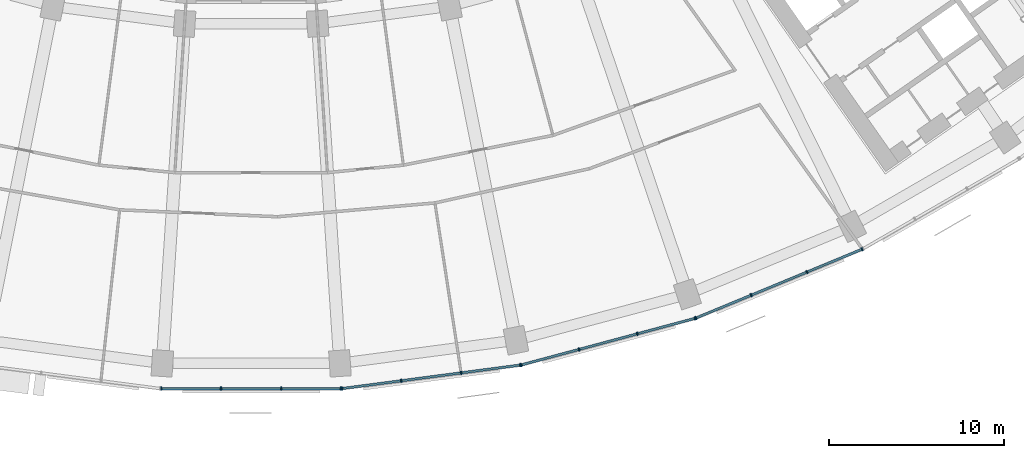
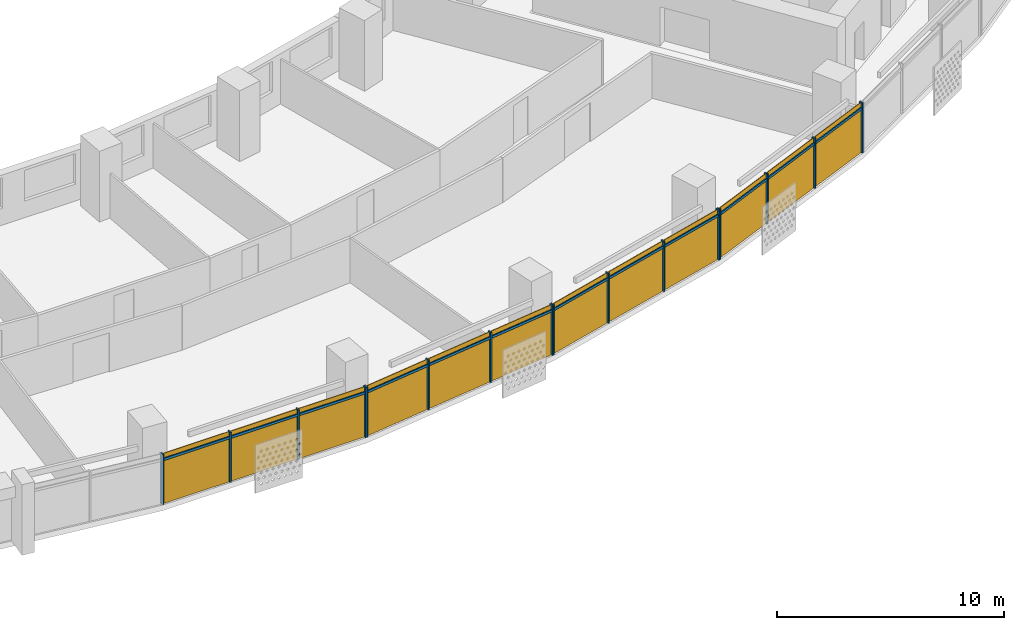
# One storey, part 21 of 29: 28 members, 4 curtain walls.
"""IFC4 building model written with IfcOpenShell, lengths in metres."""

from ifc_helpers import new_model, si_unit, direction, frame, origin, origin_2d, place, context, subcontext, project, spatial, rectangle, extrude, material, material_profile, profile_set, type_object, element, aggregate, save


model = new_model("IFC4")

# Units and contexts
model_context = context("Model", 3, precision=1e-05, world=origin(), true_north=direction((0.0, 1.0)))
body_context = subcontext(model_context, "Body", "Model", "MODEL_VIEW")
ifc_project = project(units=[si_unit("LENGTHUNIT", "METRE"), si_unit("AREAUNIT", "SQUARE_METRE"), si_unit("VOLUMEUNIT", "CUBIC_METRE"), si_unit("PLANEANGLEUNIT", "RADIAN"), si_unit("MASSUNIT", "GRAM", prefix="KILO")], contexts=[model_context])

# Member
ifc_material = material(Name="Aluminium 6063-T6 anodised", Category="aluminium")
ifc_material_profile_1 = material_profile(ifc_material, rectangle(XDim=0.199951171875, YDim=0.070068359375, at=origin_2d()))
ifc_profile_set_1 = profile_set([ifc_material_profile_1], Name="Aluminium 6063-T6 anodised")
member_type_1 = type_object("IfcMemberType", Name="Mullion 70 x 200 aluminium", PredefinedType="MULLION", material=ifc_profile_set_1)
site_placement = place(None, origin())
building_placement = place(site_placement, origin())
storey_placement = place(building_placement, frame((0.0, 0.0, 106.300048828125)))
member_1_placement = place(storey_placement, frame((-5.1513671875, -79.0302734375, 0.0), z_axis=(0.0, 0.0, 1.0), x_axis=(0.0, 1.0, 0.0)))
member_1 = element("IfcMember", 1, at=member_1_placement, type_object=member_type_1, Name="e-cw1-L23-out09/M00", PredefinedType="MULLION", context=body_context, shape_type="SweptSolid", body=[
    extrude(rectangle(XDim=0.199951171875, YDim=0.070068359375, at=origin_2d()), origin(), (0.0, 0.0, 1.0), 2.699951171875),
])

member_2_placement = place(storey_placement, frame((-1.728759765625, -79.0302734375, 0.0), z_axis=(0.0, 0.0, 1.0), x_axis=(0.0, 1.0, 0.0)))
member_2 = element("IfcMember", 2, at=member_2_placement, type_object=member_type_1, Name="e-cw1-L23-out09/M01", PredefinedType="MULLION", context=body_context, shape_type="SweptSolid", body=[
    extrude(rectangle(XDim=0.199951171875, YDim=0.070068359375, at=origin_2d()), origin(), (0.0, 0.0, 1.0), 2.699951171875),
])

member_3_placement = place(storey_placement, frame((1.728759765625, -79.0302734375, 0.0), z_axis=(0.0, 0.0, 1.0), x_axis=(0.0, 1.0, 0.0)))
member_3 = element("IfcMember", 3, at=member_3_placement, type_object=member_type_1, Name="e-cw1-L23-out09/M02", PredefinedType="MULLION", context=body_context, shape_type="SweptSolid", body=[
    extrude(rectangle(XDim=0.199951171875, YDim=0.070068359375, at=origin_2d()), origin(), (0.0, 0.0, 1.0), 2.699951171875),
])

member_4_placement = place(storey_placement, frame((5.1513671875, -79.0302734375, 0.0), z_axis=(0.0, 0.0, 1.0), x_axis=(0.0, 1.0, 0.0)))
member_4 = element("IfcMember", 4, at=member_4_placement, type_object=member_type_1, Name="e-cw1-L23-out09/M03", PredefinedType="MULLION", context=body_context, shape_type="SweptSolid", body=[
    extrude(rectangle(XDim=0.199951171875, YDim=0.070068359375, at=origin_2d()), origin(), (0.0, 0.0, 1.0), 2.699951171875),
])

member_5_placement = place(storey_placement, frame((5.2080078125, -79.026611328125, 0.0), z_axis=(0.0, 0.0, 1.0), x_axis=(-0.13052619222, 0.991444861374, 0.0)))
member_5 = element("IfcMember", 5, at=member_5_placement, type_object=member_type_1, Name="e-cw1-L23-out10/M00", PredefinedType="MULLION", context=body_context, shape_type="SweptSolid", body=[
    extrude(rectangle(XDim=0.199951171875, YDim=0.070068359375, at=origin_2d()), origin(), (0.0, 0.0, 1.0), 2.699951171875),
])

member_6_placement = place(storey_placement, frame((8.6015625, -78.579833984375, 0.0), z_axis=(0.0, 0.0, 1.0), x_axis=(-0.13052619222, 0.991444861374, 0.0)))
member_6 = element("IfcMember", 6, at=member_6_placement, type_object=member_type_1, Name="e-cw1-L23-out10/M01", PredefinedType="MULLION", context=body_context, shape_type="SweptSolid", body=[
    extrude(rectangle(XDim=0.199951171875, YDim=0.070068359375, at=origin_2d()), origin(), (0.0, 0.0, 1.0), 2.699951171875),
])

member_7_placement = place(storey_placement, frame((12.029541015625, -78.12841796875, 0.0), z_axis=(0.0, 0.0, 1.0), x_axis=(-0.13052619222, 0.991444861374, 0.0)))
member_7 = element("IfcMember", 7, at=member_7_placement, type_object=member_type_1, Name="e-cw1-L23-out10/M02", PredefinedType="MULLION", context=body_context, shape_type="SweptSolid", body=[
    extrude(rectangle(XDim=0.199951171875, YDim=0.070068359375, at=origin_2d()), origin(), (0.0, 0.0, 1.0), 2.699951171875),
])

member_8_placement = place(storey_placement, frame((15.4228515625, -77.681640625, 0.0), z_axis=(0.0, 0.0, 1.0), x_axis=(-0.13052619222, 0.991444861374, 0.0)))
member_8 = element("IfcMember", 8, at=member_8_placement, type_object=member_type_1, Name="e-cw1-L23-out10/M03", PredefinedType="MULLION", context=body_context, shape_type="SweptSolid", body=[
    extrude(rectangle(XDim=0.199951171875, YDim=0.070068359375, at=origin_2d()), origin(), (0.0, 0.0, 1.0), 2.699951171875),
])

member_9_placement = place(storey_placement, frame((15.478515625, -77.670654296875, 0.0), z_axis=(0.0, 0.0, 1.0), x_axis=(-0.258819045103, 0.965925826289, 0.0)))
member_9 = element("IfcMember", 9, at=member_9_placement, type_object=member_type_1, Name="e-cw1-L23-out11/M00", PredefinedType="MULLION", context=body_context, shape_type="SweptSolid", body=[
    extrude(rectangle(XDim=0.199951171875, YDim=0.070068359375, at=origin_2d()), origin(), (0.0, 0.0, 1.0), 2.699951171875),
])

member_10_placement = place(storey_placement, frame((18.78466796875, -76.78466796875, 0.0), z_axis=(0.0, 0.0, 1.0), x_axis=(-0.258819045103, 0.965925826289, 0.0)))
member_10 = element("IfcMember", 10, at=member_10_placement, type_object=member_type_1, Name="e-cw1-L23-out11/M01", PredefinedType="MULLION", context=body_context, shape_type="SweptSolid", body=[
    extrude(rectangle(XDim=0.199951171875, YDim=0.070068359375, at=origin_2d()), origin(), (0.0, 0.0, 1.0), 2.699951171875),
])

member_11_placement = place(storey_placement, frame((22.12451171875, -75.889892578125, 0.0), z_axis=(0.0, 0.0, 1.0), x_axis=(-0.258819045103, 0.965925826289, 0.0)))
member_11 = element("IfcMember", 11, at=member_11_placement, type_object=member_type_1, Name="e-cw1-L23-out11/M02", PredefinedType="MULLION", context=body_context, shape_type="SweptSolid", body=[
    extrude(rectangle(XDim=0.199951171875, YDim=0.070068359375, at=origin_2d()), origin(), (0.0, 0.0, 1.0), 2.699951171875),
])

member_12_placement = place(storey_placement, frame((25.430419921875, -75.00390625, 0.0), z_axis=(0.0, 0.0, 1.0), x_axis=(-0.258819045103, 0.965925826289, 0.0)))
member_12 = element("IfcMember", 12, at=member_12_placement, type_object=member_type_1, Name="e-cw1-L23-out11/M03", PredefinedType="MULLION", context=body_context, shape_type="SweptSolid", body=[
    extrude(rectangle(XDim=0.199951171875, YDim=0.070068359375, at=origin_2d()), origin(), (0.0, 0.0, 1.0), 2.699951171875),
])

member_13_placement = place(storey_placement, frame((25.484130859375, -74.98583984375, 0.0), z_axis=(0.0, 0.0, 1.0), x_axis=(-0.382683432365, 0.923879532511, 0.0)))
member_13 = element("IfcMember", 13, at=member_13_placement, type_object=member_type_1, Name="e-cw1-L23-out12/M00", PredefinedType="MULLION", context=body_context, shape_type="SweptSolid", body=[
    extrude(rectangle(XDim=0.199951171875, YDim=0.070068359375, at=origin_2d()), origin(), (0.0, 0.0, 1.0), 2.699951171875),
])

member_14_placement = place(storey_placement, frame((28.646240234375, -73.676025390625, 0.0), z_axis=(0.0, 0.0, 1.0), x_axis=(-0.382683432365, 0.923879532511, 0.0)))
member_14 = element("IfcMember", 14, at=member_14_placement, type_object=member_type_1, Name="e-cw1-L23-out12/M01", PredefinedType="MULLION", context=body_context, shape_type="SweptSolid", body=[
    extrude(rectangle(XDim=0.199951171875, YDim=0.070068359375, at=origin_2d()), origin(), (0.0, 0.0, 1.0), 2.699951171875),
])

member_15_placement = place(storey_placement, frame((31.8408203125, -72.352783203125, 0.0), z_axis=(0.0, 0.0, 1.0), x_axis=(-0.382683432365, 0.923879532511, 0.0)))
member_15 = element("IfcMember", 15, at=member_15_placement, type_object=member_type_1, Name="e-cw1-L23-out12/M02", PredefinedType="MULLION", context=body_context, shape_type="SweptSolid", body=[
    extrude(rectangle(XDim=0.199951171875, YDim=0.070068359375, at=origin_2d()), origin(), (0.0, 0.0, 1.0), 2.699951171875),
])

member_16_placement = place(storey_placement, frame((35.0029296875, -71.04296875, 0.0), z_axis=(0.0, 0.0, 1.0), x_axis=(-0.382683432365, 0.923879532511, 0.0)))
member_16 = element("IfcMember", 16, at=member_16_placement, type_object=member_type_1, Name="e-cw1-L23-out12/M03", PredefinedType="MULLION", context=body_context, shape_type="SweptSolid", body=[
    extrude(rectangle(XDim=0.199951171875, YDim=0.070068359375, at=origin_2d()), origin(), (0.0, 0.0, 1.0), 2.699951171875),
])

ifc_material_profile_2 = material_profile(ifc_material, rectangle(XDim=0.139892578125, YDim=0.1201171875, at=origin_2d()))
ifc_profile_set_2 = profile_set([ifc_material_profile_2], Name="Aluminium 6063-T6 anodised")
member_type_2 = type_object("IfcMemberType", Name="Transom 120 x 140 aluminium", PredefinedType="USERDEFINED", material=ifc_profile_set_2)
member_17_placement = place(storey_placement, frame((-5.116455078125, -79.0302734375, 2.39990234375), z_axis=(1.0, 0.0, 0.0), x_axis=(0.0, 1.0, 0.0)))
member_17 = element("IfcMember", 17, at=member_17_placement, type_object=member_type_2, Name="e-cw1-L23-out09/T00", ObjectType="TRANSOM", PredefinedType="USERDEFINED", context=body_context, shape_type="SweptSolid", body=[
    extrude(rectangle(XDim=0.139892578125, YDim=0.1201171875, at=origin_2d()), origin(), (0.0, 0.0, 1.0), 3.3525390625),
])

member_18_placement = place(storey_placement, frame((-1.69384765625, -79.0302734375, 2.39990234375), z_axis=(1.0, 0.0, 0.0), x_axis=(0.0, 1.0, 0.0)))
member_18 = element("IfcMember", 18, at=member_18_placement, type_object=member_type_2, Name="e-cw1-L23-out09/T01", ObjectType="TRANSOM", PredefinedType="USERDEFINED", context=body_context, shape_type="SweptSolid", body=[
    extrude(rectangle(XDim=0.139892578125, YDim=0.1201171875, at=origin_2d()), origin(), (0.0, 0.0, 1.0), 3.3876953125),
])

member_19_placement = place(storey_placement, frame((1.763916015625, -79.0302734375, 2.39990234375), z_axis=(1.0, 0.0, 0.0), x_axis=(0.0, 1.0, 0.0)))
member_19 = element("IfcMember", 19, at=member_19_placement, type_object=member_type_2, Name="e-cw1-L23-out09/T02", ObjectType="TRANSOM", PredefinedType="USERDEFINED", context=body_context, shape_type="SweptSolid", body=[
    extrude(rectangle(XDim=0.139892578125, YDim=0.1201171875, at=origin_2d()), origin(), (0.0, 0.0, 1.0), 3.3525390625),
])

member_20_placement = place(storey_placement, frame((5.242919921875, -79.02197265625, 2.39990234375), z_axis=(0.991439665896, 0.130565649721, 0.0), x_axis=(-0.130565649721, 0.991439665896, 0.0)))
member_20 = element("IfcMember", 20, at=member_20_placement, type_object=member_type_2, Name="e-cw1-L23-out10/T00", ObjectType="TRANSOM", PredefinedType="USERDEFINED", context=body_context, shape_type="SweptSolid", body=[
    extrude(rectangle(XDim=0.139892578125, YDim=0.1201171875, at=origin_2d()), origin(), (0.0, 0.0, 1.0), 3.352783203125),
])

member_21_placement = place(storey_placement, frame((8.63623046875, -78.5751953125, 2.39990234375), z_axis=(0.991446198807, 0.130516033004, 0.0), x_axis=(-0.130516033004, 0.991446198807, 0.0)))
member_21 = element("IfcMember", 21, at=member_21_placement, type_object=member_type_2, Name="e-cw1-L23-out10/T01", ObjectType="TRANSOM", PredefinedType="USERDEFINED", context=body_context, shape_type="SweptSolid", body=[
    extrude(rectangle(XDim=0.139892578125, YDim=0.1201171875, at=origin_2d()), origin(), (0.0, 0.0, 1.0), 3.3876953125),
])

member_22_placement = place(storey_placement, frame((12.064208984375, -78.123779296875, 2.39990234375), z_axis=(0.991449089759, 0.130494070426, 0.0), x_axis=(-0.130494070426, 0.991449089759, 0.0)))
member_22 = element("IfcMember", 22, at=member_22_placement, type_object=member_type_2, Name="e-cw1-L23-out10/T02", ObjectType="TRANSOM", PredefinedType="USERDEFINED", context=body_context, shape_type="SweptSolid", body=[
    extrude(rectangle(XDim=0.139892578125, YDim=0.1201171875, at=origin_2d()), origin(), (0.0, 0.0, 1.0), 3.3525390625),
])

member_23_placement = place(storey_placement, frame((15.512451171875, -77.66162109375, 2.39990234375), z_axis=(0.965927247937, 0.258813739382, 0.0), x_axis=(-0.258813739382, 0.965927247937, 0.0)))
member_23 = element("IfcMember", 23, at=member_23_placement, type_object=member_type_2, Name="e-cw1-L23-out11/T00", ObjectType="TRANSOM", PredefinedType="USERDEFINED", context=body_context, shape_type="SweptSolid", body=[
    extrude(rectangle(XDim=0.139892578125, YDim=0.1201171875, at=origin_2d()), origin(), (0.0, 0.0, 1.0), 3.3525390625),
])

member_24_placement = place(storey_placement, frame((18.818359375, -76.775634765625, 2.39990234375), z_axis=(0.965931646033, 0.258797324547, 0.0), x_axis=(-0.258797324547, 0.965931646033, 0.0)))
member_24 = element("IfcMember", 24, at=member_24_placement, type_object=member_type_2, Name="e-cw1-L23-out11/T01", ObjectType="TRANSOM", PredefinedType="USERDEFINED", context=body_context, shape_type="SweptSolid", body=[
    extrude(rectangle(XDim=0.139892578125, YDim=0.1201171875, at=origin_2d()), origin(), (0.0, 0.0, 1.0), 3.3876953125),
])

member_25_placement = place(storey_placement, frame((22.158203125, -75.880859375, 2.39990234375), z_axis=(0.965932125453, 0.258795535157, 0.0), x_axis=(-0.258795535157, 0.965932125453, 0.0)))
member_25 = element("IfcMember", 25, at=member_25_placement, type_object=member_type_2, Name="e-cw1-L23-out11/T02", ObjectType="TRANSOM", PredefinedType="USERDEFINED", context=body_context, shape_type="SweptSolid", body=[
    extrude(rectangle(XDim=0.139892578125, YDim=0.1201171875, at=origin_2d()), origin(), (0.0, 0.0, 1.0), 3.352783203125),
])

member_26_placement = place(storey_placement, frame((25.5166015625, -74.972412109375, 2.39990234375), z_axis=(0.923882814237, 0.382675509483, 0.0), x_axis=(-0.382675509483, 0.923882814237, 0.0)))
member_26 = element("IfcMember", 26, at=member_26_placement, type_object=member_type_2, Name="e-cw1-L23-out12/T00", ObjectType="TRANSOM", PredefinedType="USERDEFINED", context=body_context, shape_type="SweptSolid", body=[
    extrude(rectangle(XDim=0.139892578125, YDim=0.1201171875, at=origin_2d()), origin(), (0.0, 0.0, 1.0), 3.3525390625),
])

member_27_placement = place(storey_placement, frame((28.6787109375, -73.66259765625, 2.39990234375), z_axis=(0.923874529423, 0.382695510666, 0.0), x_axis=(-0.382695510666, 0.923874529423, 0.0)))
member_27 = element("IfcMember", 27, at=member_27_placement, type_object=member_type_2, Name="e-cw1-L23-out12/T01", ObjectType="TRANSOM", PredefinedType="USERDEFINED", context=body_context, shape_type="SweptSolid", body=[
    extrude(rectangle(XDim=0.139892578125, YDim=0.1201171875, at=origin_2d()), origin(), (0.0, 0.0, 1.0), 3.387451171875),
])

member_28_placement = place(storey_placement, frame((31.873046875, -72.33935546875, 2.39990234375), z_axis=(0.923882814237, 0.382675509483, 0.0), x_axis=(-0.382675509483, 0.923882814237, 0.0)))
member_28 = element("IfcMember", 28, at=member_28_placement, type_object=member_type_2, Name="e-cw1-L23-out12/T02", ObjectType="TRANSOM", PredefinedType="USERDEFINED", context=body_context, shape_type="SweptSolid", body=[
    extrude(rectangle(XDim=0.139892578125, YDim=0.1201171875, at=origin_2d()), origin(), (0.0, 0.0, 1.0), 3.3525390625),
])

# Site, building, storey
site = spatial("IfcSite", under=ifc_project, at=site_placement, CompositionType="ELEMENT")
building = spatial("IfcBuilding", under=site, at=building_placement, Name="Qamariyya Broadcast Tower", CompositionType="ELEMENT")
storey = spatial("IfcBuildingStorey", under=building, at=storey_placement, Name="L23", CompositionType="ELEMENT", Elevation=106.300048828125)

# Curtain wall
curtain_wall_type = type_object("IfcCurtainWallType", Name="Unitised curtain wall, anodised aluminium", PredefinedType="NOTDEFINED", material=ifc_material)
curtain_wall_1_placement = place(storey_placement, origin())
curtain_wall_1 = element("IfcCurtainWall", 29, at=curtain_wall_1_placement, inside=storey, type_object=curtain_wall_type, Name="e-cw1-L23-out09", PredefinedType="NOTDEFINED", context=body_context, shape_type="SweptSolid", body=[
    extrude(rectangle(XDim=3.352783203125, YDim=0.031982421875, at=origin_2d()), frame((-3.440185546875, -79.0302734375, 0.0), x_axis=(1.0, 0.0, 0.0)), (0.0, 0.0, 1.0), 2.340087890625),
    extrude(rectangle(XDim=3.352783203125, YDim=0.031982421875, at=origin_2d()), frame((-3.440185546875, -79.0302734375, 2.4599609375), x_axis=(1.0, 0.0, 0.0)), (0.0, 0.0, 1.0), 0.239990234375),
    extrude(rectangle(XDim=3.3876953125, YDim=0.031982421875, at=origin_2d()), frame((0.0, -79.0302734375, 0.0), x_axis=(1.0, 0.0, 0.0)), (0.0, 0.0, 1.0), 2.340087890625),
    extrude(rectangle(XDim=3.3876953125, YDim=0.031982421875, at=origin_2d()), frame((0.0, -79.0302734375, 2.4599609375), x_axis=(1.0, 0.0, 0.0)), (0.0, 0.0, 1.0), 0.239990234375),
    extrude(rectangle(XDim=3.352783203125, YDim=0.031982421875, at=origin_2d()), frame((3.440185546875, -79.0302734375, 0.0), x_axis=(1.0, 0.0, 0.0)), (0.0, 0.0, 1.0), 2.340087890625),
    extrude(rectangle(XDim=3.352783203125, YDim=0.031982421875, at=origin_2d()), frame((3.440185546875, -79.0302734375, 2.4599609375), x_axis=(1.0, 0.0, 0.0)), (0.0, 0.0, 1.0), 0.239990234375),
])

aggregate(curtain_wall_1, [member_1, member_2, member_3, member_4, member_17, member_18, member_19])

curtain_wall_2_placement = place(storey_placement, origin())
curtain_wall_2 = element("IfcCurtainWall", 30, at=curtain_wall_2_placement, inside=storey, type_object=curtain_wall_type, Name="e-cw1-L23-out10", PredefinedType="NOTDEFINED", context=body_context, shape_type="SweptSolid", body=[
    extrude(rectangle(XDim=3.3525390625, YDim=0.031982421875, at=origin_2d()), frame((6.90478515625, -78.802978515625, 0.0), x_axis=(0.991447084105, 0.13050930779, 0.0)), (0.0, 0.0, 1.0), 2.340087890625),
    extrude(rectangle(XDim=3.3525390625, YDim=0.031982421875, at=origin_2d()), frame((6.90478515625, -78.802978515625, 2.4599609375), x_axis=(0.991447084105, 0.13050930779, 0.0)), (0.0, 0.0, 1.0), 0.239990234375),
    extrude(rectangle(XDim=3.3876953125, YDim=0.031982421875, at=origin_2d()), frame((10.3154296875, -78.35400390625, 0.0), x_axis=(0.991447084105, 0.13050930779, 0.0)), (0.0, 0.0, 1.0), 2.340087890625),
    extrude(rectangle(XDim=3.3876953125, YDim=0.031982421875, at=origin_2d()), frame((10.3154296875, -78.35400390625, 2.4599609375), x_axis=(0.991447084105, 0.13050930779, 0.0)), (0.0, 0.0, 1.0), 0.239990234375),
    extrude(rectangle(XDim=3.3525390625, YDim=0.031982421875, at=origin_2d()), frame((13.72607421875, -77.9052734375, 0.0), x_axis=(0.991447084105, 0.13050930779, 0.0)), (0.0, 0.0, 1.0), 2.340087890625),
    extrude(rectangle(XDim=3.3525390625, YDim=0.031982421875, at=origin_2d()), frame((13.72607421875, -77.9052734375, 2.4599609375), x_axis=(0.991447084105, 0.13050930779, 0.0)), (0.0, 0.0, 1.0), 0.239990234375),
])

aggregate(curtain_wall_2, [member_5, member_6, member_7, member_8, member_20, member_21, member_22])

curtain_wall_3_placement = place(storey_placement, origin())
curtain_wall_3 = element("IfcCurtainWall", 31, at=curtain_wall_3_placement, inside=storey, type_object=curtain_wall_type, Name="e-cw1-L23-out11", PredefinedType="NOTDEFINED", context=body_context, shape_type="SweptSolid", body=[
    extrude(rectangle(XDim=3.352783203125, YDim=0.031982421875, at=origin_2d()), frame((17.131591796875, -77.227783203125, 0.0), x_axis=(0.965923677743, 0.258827063454, 0.0)), (0.0, 0.0, 1.0), 2.340087890625),
    extrude(rectangle(XDim=3.352783203125, YDim=0.031982421875, at=origin_2d()), frame((17.131591796875, -77.227783203125, 2.4599609375), x_axis=(0.965923677743, 0.258827063454, 0.0)), (0.0, 0.0, 1.0), 0.239990234375),
    extrude(rectangle(XDim=3.3876953125, YDim=0.031982421875, at=origin_2d()), frame((20.45458984375, -76.33740234375, 0.0), x_axis=(0.965923677743, 0.258827063454, 0.0)), (0.0, 0.0, 1.0), 2.340087890625),
    extrude(rectangle(XDim=3.3876953125, YDim=0.031982421875, at=origin_2d()), frame((20.45458984375, -76.33740234375, 2.4599609375), x_axis=(0.965923677743, 0.258827063454, 0.0)), (0.0, 0.0, 1.0), 0.239990234375),
    extrude(rectangle(XDim=3.352783203125, YDim=0.031982421875, at=origin_2d()), frame((23.777587890625, -75.44677734375, 0.0), x_axis=(0.965923677743, 0.258827063454, 0.0)), (0.0, 0.0, 1.0), 2.340087890625),
    extrude(rectangle(XDim=3.352783203125, YDim=0.031982421875, at=origin_2d()), frame((23.777587890625, -75.44677734375, 2.4599609375), x_axis=(0.965923677743, 0.258827063454, 0.0)), (0.0, 0.0, 1.0), 0.239990234375),
])

aggregate(curtain_wall_3, [member_9, member_10, member_11, member_12, member_23, member_24, member_25])

curtain_wall_4_placement = place(storey_placement, origin())
curtain_wall_4 = element("IfcCurtainWall", 32, at=curtain_wall_4_placement, inside=storey, type_object=curtain_wall_type, Name="e-cw1-L23-out12", PredefinedType="NOTDEFINED", context=body_context, shape_type="SweptSolid", body=[
    extrude(rectangle(XDim=3.3525390625, YDim=0.031982421875, at=origin_2d()), frame((27.065185546875, -74.3310546875, 0.0), x_axis=(0.923872250857, 0.382701011361, 0.0)), (0.0, 0.0, 1.0), 2.340087890625),
    extrude(rectangle(XDim=3.3525390625, YDim=0.031982421875, at=origin_2d()), frame((27.065185546875, -74.3310546875, 2.4599609375), x_axis=(0.923872250857, 0.382701011361, 0.0)), (0.0, 0.0, 1.0), 0.239990234375),
    extrude(rectangle(XDim=3.3876953125, YDim=0.031982421875, at=origin_2d()), frame((30.24365234375, -73.014404296875, 0.0), x_axis=(0.923872250857, 0.382701011361, 0.0)), (0.0, 0.0, 1.0), 2.340087890625),
    extrude(rectangle(XDim=3.3876953125, YDim=0.031982421875, at=origin_2d()), frame((30.24365234375, -73.014404296875, 2.4599609375), x_axis=(0.923872250857, 0.382701011361, 0.0)), (0.0, 0.0, 1.0), 0.239990234375),
    extrude(rectangle(XDim=3.3525390625, YDim=0.031982421875, at=origin_2d()), frame((33.421875, -71.69775390625, 0.0), x_axis=(0.923872250857, 0.382701011361, 0.0)), (0.0, 0.0, 1.0), 2.340087890625),
    extrude(rectangle(XDim=3.3525390625, YDim=0.031982421875, at=origin_2d()), frame((33.421875, -71.69775390625, 2.4599609375), x_axis=(0.923872250857, 0.382701011361, 0.0)), (0.0, 0.0, 1.0), 0.239990234375),
])

aggregate(curtain_wall_4, [member_13, member_14, member_15, member_16, member_26, member_27, member_28])

save(model, "model.ifc")
